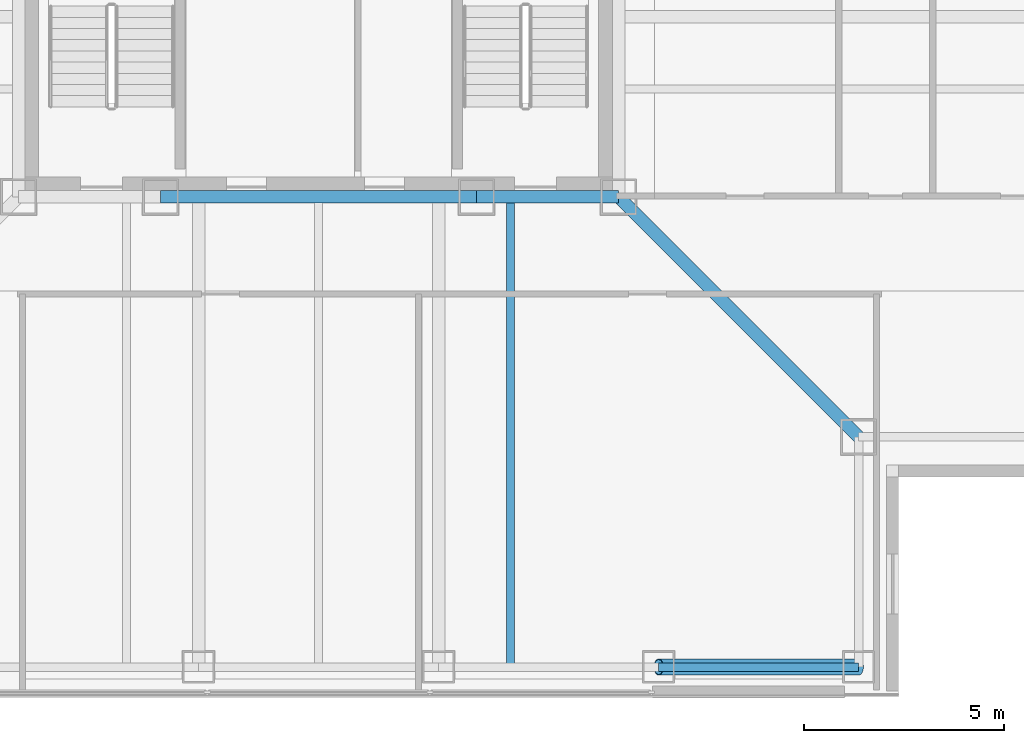
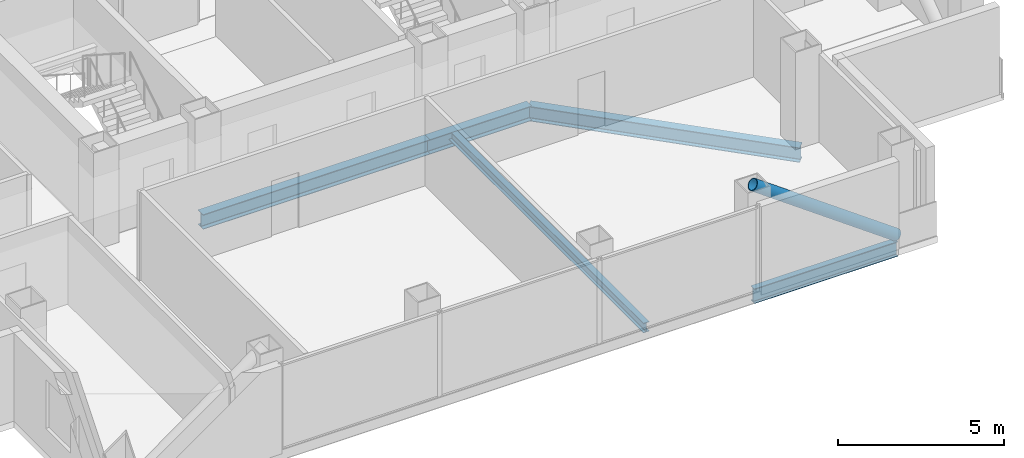
# One storey, part 3 of 16: 5 beams, 1 member.
"""IFC4 building model written with IfcOpenShell, lengths in metres."""

from ifc_helpers import new_model, si_unit, direction, frame, origin, origin_2d, place, context, subcontext, project, spatial, hollow_circle, i_section, extrude, material, material_profile, profile_set, type_object, element, save


model = new_model("IFC4")

# Units and contexts
model_context = context("Model", 3, precision=1e-05, world=origin(), true_north=direction((0.0, 1.0)))
body_context = subcontext(model_context, "Body", "Model", "MODEL_VIEW")
ifc_project = project(units=[si_unit("LENGTHUNIT", "METRE"), si_unit("AREAUNIT", "SQUARE_METRE"), si_unit("VOLUMEUNIT", "CUBIC_METRE"), si_unit("PLANEANGLEUNIT", "RADIAN"), si_unit("MASSUNIT", "GRAM", prefix="KILO")], contexts=[model_context])

# Site, building, storey
site_placement = place(None, origin())
site = spatial("IfcSite", under=ifc_project, at=site_placement, CompositionType="ELEMENT")
building_placement = place(site_placement, origin())
building = spatial("IfcBuilding", under=site, at=building_placement, Name="Trevonay Congress Spire", CompositionType="ELEMENT")
storey_placement = place(building_placement, frame((0.0, 0.0, 223.800048828125)))
storey = spatial("IfcBuildingStorey", under=building, at=storey_placement, Name="L58", CompositionType="ELEMENT", Elevation=223.800048828125)

# Beams
ifc_material_1 = material(Name="Steel ASTM A572 Grade 50", Category="steel")
ifc_material_profile_1 = material_profile(ifc_material_1, i_section(OverallWidth=0.31201171875, OverallDepth=0.54296875, WebThickness=0.0126953125, FlangeThickness=0.020263671875, FilletRadius=0.014892578125, at=origin_2d()), Name="W530x150")
ifc_profile_set_1 = profile_set([ifc_material_profile_1], Name="Steel ASTM A572 Grade 50")
beam_type_1 = type_object("IfcBeamType", Name="BM-GIRD-W530X150", PredefinedType="BEAM", material=ifc_profile_set_1)
beam_1_placement = place(storey_placement, frame((-3.949951171875, -7.5, -0.511474609375), z_axis=(1.0, 0.0, 0.0), x_axis=(0.0, 1.0, 0.0)))
element("IfcBeam", 1, at=beam_1_placement, inside=storey, type_object=beam_type_1, Name="L58 structural beam BM-L58-CR-S2", PredefinedType="BEAM", context=body_context, shape_type="SweptSolid", body=[
    extrude(i_section(OverallWidth=0.31201171875, OverallDepth=0.54296875, WebThickness=0.0126953125, FlangeThickness=0.020263671875, FilletRadius=0.014892578125, at=origin_2d()), origin(), (0.0, 0.0, 1.0), 7.89990234375),
])
beam_2_placement = place(storey_placement, frame((3.949951171875, -7.5, -0.511474609375), z_axis=(1.0, 0.0, 0.0), x_axis=(0.0, 1.0, 0.0)))
element("IfcBeam", 2, at=beam_2_placement, inside=storey, type_object=beam_type_1, Name="L58 structural beam BM-L58-CR-S3", PredefinedType="BEAM", context=body_context, shape_type="SweptSolid", body=[
    extrude(i_section(OverallWidth=0.31201171875, OverallDepth=0.54296875, WebThickness=0.0126953125, FlangeThickness=0.020263671875, FilletRadius=0.014892578125, at=origin_2d()), origin(), (0.0, 0.0, 1.0), 3.550048828125),
])
beam_3_placement = place(storey_placement, frame((7.5, -7.5, -0.511474609375), z_axis=(0.707106781187, -0.707106781187, 0.0), x_axis=(0.707106781187, 0.707106781187, 0.0)))
element("IfcBeam", 3, at=beam_3_placement, inside=storey, type_object=beam_type_1, Name="L58 structural beam BM-L58-CDSE", PredefinedType="BEAM", context=body_context, shape_type="SweptSolid", body=[
    extrude(i_section(OverallWidth=0.31201171875, OverallDepth=0.54296875, WebThickness=0.0126953125, FlangeThickness=0.020263671875, FilletRadius=0.014892578125, at=origin_2d()), origin(), (0.0, 0.0, 1.0), 8.4853515625),
])
ifc_material_profile_2 = material_profile(ifc_material_1, i_section(OverallWidth=0.2119140625, OverallDepth=0.5439453125, WebThickness=0.01318359375, FlangeThickness=0.021240234375, FilletRadius=0.014892578125, at=origin_2d()), Name="W530x123")
ifc_profile_set_2 = profile_set([ifc_material_profile_2], Name="Steel ASTM A572 Grade 50")
beam_type_2 = type_object("IfcBeamType", Name="BM-RING-W530X123", PredefinedType="BEAM", material=ifc_profile_set_2)
beam_4_placement = place(storey_placement, frame((8.5, -19.25, -0.511962890625), z_axis=(1.0, 0.0, 0.0), x_axis=(0.0, 1.0, 0.0)))
element("IfcBeam", 4, at=beam_4_placement, inside=storey, type_object=beam_type_2, Name="L58 structural beam BM-L58-PS5", PredefinedType="BEAM", context=body_context, shape_type="SweptSolid", body=[
    extrude(i_section(OverallWidth=0.2119140625, OverallDepth=0.5439453125, WebThickness=0.01318359375, FlangeThickness=0.021240234375, FilletRadius=0.014892578125, at=origin_2d()), origin(), (0.0, 0.0, 1.0), 5.0),
])
ifc_material_profile_3 = material_profile(ifc_material_1, i_section(OverallWidth=0.205078125, OverallDepth=0.35400390625, WebThickness=0.009521484375, FlangeThickness=0.016845703125, FilletRadius=0.011962890625, at=origin_2d()), Name="W360x79")
ifc_profile_set_3 = profile_set([ifc_material_profile_3], Name="Steel ASTM A572 Grade 50")
beam_type_3 = type_object("IfcBeamType", Name="JS-COMP-W360X79", PredefinedType="JOIST", material=ifc_profile_set_3)
beam_5_placement = place(storey_placement, frame((4.800048828125, -19.25, -0.4169921875), z_axis=(0.0, 1.0, 0.0), x_axis=(-1.0, 0.0, 0.0)))
element("IfcBeam", 5, at=beam_5_placement, inside=storey, type_object=beam_type_3, Name="L58 structural beam JS-L58-NS-S3", PredefinedType="JOIST", context=body_context, shape_type="SweptSolid", body=[
    extrude(i_section(OverallWidth=0.205078125, OverallDepth=0.35400390625, WebThickness=0.009521484375, FlangeThickness=0.016845703125, FilletRadius=0.011962890625, at=origin_2d()), origin(), (0.0, 0.0, 1.0), 11.75),
])

# Member
ifc_material_2 = material(Name="Steel ASTM A500 Grade C", Category="steel")
ifc_material_profile_4 = material_profile(ifc_material_2, hollow_circle(Radius=0.203125, WallThickness=0.02001953125, at=origin_2d()), Name="CHS 406.4x20")
ifc_profile_set_4 = profile_set([ifc_material_profile_4], Name="Steel ASTM A500 Grade C")
member_type = type_object("IfcMemberType", Name="MBR-TUBE-CHS406", PredefinedType="BRACE", material=ifc_profile_set_4)
member_placement = place(storey_placement, frame((13.5, -19.25, -0.050048828125), z_axis=(-0.811526825515, 0.0, 0.584315164504), x_axis=(0.0, -1.0, 0.0)))
element("IfcMember", 6, at=member_placement, inside=storey, type_object=member_type, Name="L58 perimeter braced-tube diagonal S4", PredefinedType="BRACE", context=body_context, shape_type="SweptSolid", body=[
    extrude(hollow_circle(Radius=0.203125, WallThickness=0.02001953125, at=origin_2d()), origin(), (0.0, 0.0, 1.0), 6.1611328125),
])

save(model, "model.ifc")
